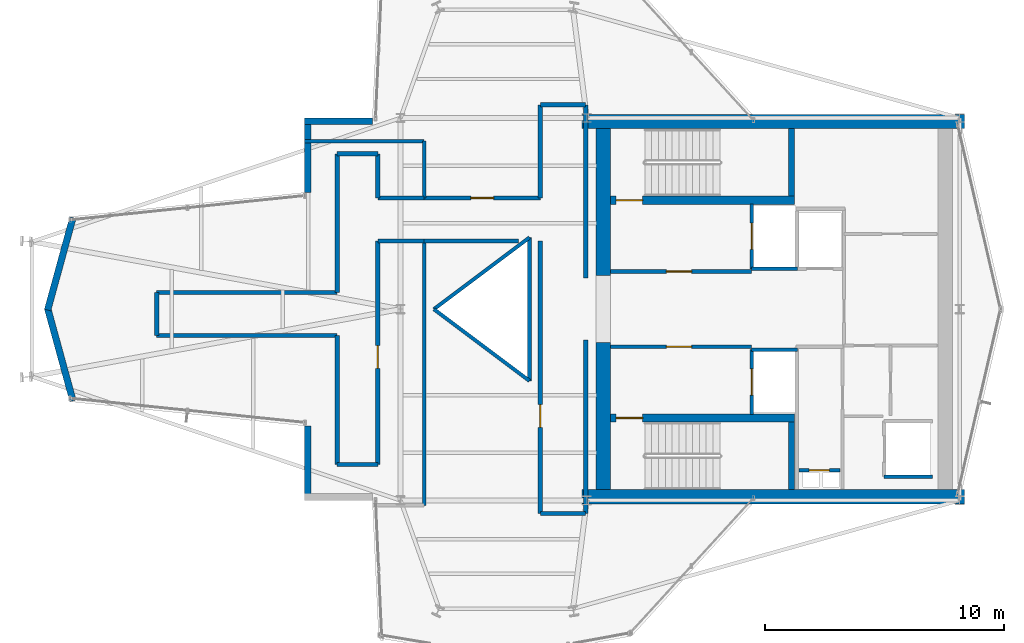
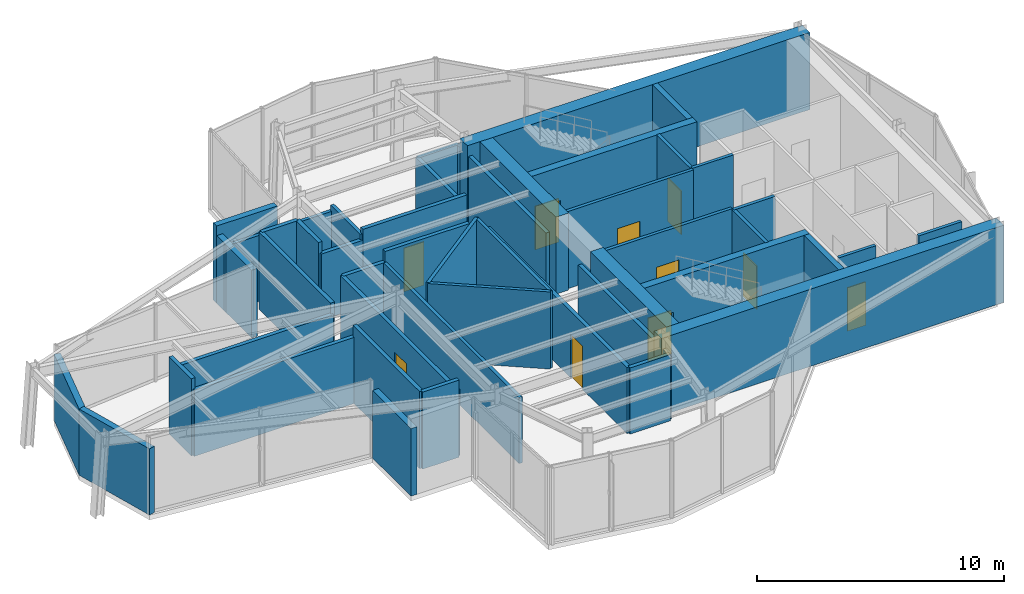
# One storey, part 11 of 13: 46 walls, 10 doors, 10 openings.
"""IFC4 building model written with IfcOpenShell, lengths in metres."""

from ifc_helpers import new_model, si_unit, direction, frame, frame_2d, origin, place, context, subcontext, project, spatial, rectangle, extrude, material, layer, layer_set, type_object, element, fill, save


model = new_model("IFC4")

# Units and contexts
model_context = context("Model", 3, precision=1e-05, world=origin(), true_north=direction((0.0, 1.0)))
body_context = subcontext(model_context, "Body", "Model", "MODEL_VIEW")
ifc_project = project(units=[si_unit("LENGTHUNIT", "METRE"), si_unit("AREAUNIT", "SQUARE_METRE"), si_unit("VOLUMEUNIT", "CUBIC_METRE"), si_unit("PLANEANGLEUNIT", "RADIAN"), si_unit("MASSUNIT", "GRAM", prefix="KILO")], contexts=[model_context])

# Site, building, storey
site_placement = place(None, origin())
site = spatial("IfcSite", under=ifc_project, at=site_placement, CompositionType="ELEMENT")
building_placement = place(site_placement, origin())
building = spatial("IfcBuilding", under=site, at=building_placement, Name="Veymaron Broadcast Tower", CompositionType="ELEMENT")
storey_placement = place(building_placement, frame((0.0, 0.0, 287.10009765625)))
storey = spatial("IfcBuildingStorey", under=building, at=storey_placement, Name="L67", CompositionType="ELEMENT", Elevation=287.10009765625)

# Walls
ifc_material_1 = material(Name="Precast concrete C40/50", Category="concrete")
ifc_layer_1 = layer(ifc_material_1, 0.280029296875)
ifc_layer_set_1 = layer_set([ifc_layer_1], Name="Precast concrete C40/50")
wall_type_1 = type_object("IfcWallType", Name="WALL-EXT-280", PredefinedType="STANDARD", material=ifc_layer_set_1)
wall_1_placement = place(storey_placement, frame((30.02197265625, 31.860107421875, 0.0), z_axis=(0.0, 0.0, 1.0), x_axis=(-1.0, 0.0, 0.0)))
element("IfcWall", 1, at=wall_1_placement, inside=storey, type_object=wall_type_1, Name="L67 notched corner facade pier 9-1", PredefinedType="STANDARD", context=body_context, shape_type="SweptSolid", body=[
    extrude(rectangle(XDim=2.83642578125, YDim=0.280029296875, at=frame_2d((1.418212890625, 0.0))), origin(), (0.0, 0.0, 1.0), 3.809814453125),
])
wall_2_placement = place(storey_placement, frame((27.32568359375, 32.0, 0.0), z_axis=(0.0, 0.0, 1.0), x_axis=(0.0, -1.0, 0.0)))
element("IfcWall", 2, at=wall_2_placement, inside=storey, type_object=wall_type_1, Name="L67 notched corner facade pier 10-1", PredefinedType="STANDARD", context=body_context, shape_type="SweptSolid", body=[
    extrude(rectangle(XDim=3.114013671875, YDim=0.280029296875, at=frame_2d((1.55712890625, 0.0))), origin(), (0.0, 0.0, 1.0), 3.3388671875),
])
for number, where, z_axis, x_axis, name in (
    (3, (17.4951171875, 27.83349609375, 0.0), (0.0, 0.0, 1.0), (-0.264373116581, -0.964420476364, 0.0), "L67 notched corner facade pier 12-1"),
    (4, (16.43408203125, 24.037109375, 0.0), (0.0, 0.0, 1.0), (0.264373116581, -0.964420476364, 0.0), "L67 notched corner facade pier 13-1"),
):
    element("IfcWall", number, at=place(storey_placement, frame(where, z_axis=z_axis, x_axis=x_axis)), inside=storey, type_object=wall_type_1, Name=name, PredefinedType="STANDARD", context=body_context, shape_type="SweptSolid", body=[
        extrude(rectangle(XDim=4.013427734375, YDim=0.280029296875, at=frame_2d((2.0068359375, 0.0))), origin(), (0.0, 0.0, 1.0), 3.27001953125),
    ])
wall_3_placement = place(storey_placement, frame((27.32568359375, 19.114013671875, 0.0), z_axis=(0.0, 0.0, 1.0), x_axis=(0.0, -1.0, 0.0)))
element("IfcWall", 5, at=wall_3_placement, inside=storey, type_object=wall_type_1, Name="L67 notched corner facade pier 15-1", PredefinedType="STANDARD", context=body_context, shape_type="SweptSolid", body=[
    extrude(rectangle(XDim=3.114013671875, YDim=0.280029296875, at=frame_2d((1.55712890625, 0.0))), origin(), (0.0, 0.0, 1.0), 3.3388671875),
])

# Wall, opening, door
ifc_material_2 = material(Name="Gypsum fireboard and steel stud framing", Category="steel")
ifc_layer_2 = layer(ifc_material_2, 0.14990234375)
ifc_layer_set_2 = layer_set([ifc_layer_2], Name="Gypsum fireboard and steel stud framing")
wall_type_2 = type_object("IfcWallType", Name="WALL-FIRE-150", PredefinedType="PARTITIONING", material=ifc_layer_set_2)
wall_4_placement = place(storey_placement, frame((39.97998046875, 25.574951171875, 0.0), z_axis=(0.0, 0.0, 1.0), x_axis=(1.0, 0.0, 0.0)))
wall_4 = element("IfcWall", 6, at=wall_4_placement, inside=storey, type_object=wall_type_2, Name="L67 partition IW-L67-FFLN-S", PredefinedType="PARTITIONING", context=body_context, shape_type="SweptSolid", body=[
    extrude(rectangle(XDim=5.89990234375, YDim=0.14990234375, at=frame_2d((2.949951171875, 0.0))), origin(), (0.0, 0.0, 1.0), 3.809814453125),
])
opening_1_placement = place(wall_4_placement, frame((2.35009765625, 0.0, 0.0)))
opening_1 = element("IfcOpeningElement", 7, at=opening_1_placement, cuts=wall_4, Name="Opening ID-FL1", PredefinedType="OPENING", context=body_context, shape_type="SweptSolid", body=[
    extrude(rectangle(XDim=1.050048828125, YDim=2.14990234375, at=frame_2d((0.52490234375, 1.074951171875))), frame((0.0, 0.0849609375, 0.0), z_axis=(0.0, -1.0, 0.0), x_axis=(1.0, 0.0, 0.0)), (0.0, 0.0, 1.0), 0.169921875),
])
ifc_material_3 = material(Name="Fire-rated painted hollow steel ASTM A653", Category="steel")
door_type_1 = type_object("IfcDoorType", Name="DOOR-FIRE-1050", OperationType="NOTDEFINED", PredefinedType="DOOR", material=ifc_material_3)
door_1_placement = place(opening_1_placement, origin())
door_1 = element("IfcDoor", 8, at=door_1_placement, inside=storey, type_object=door_type_1, Name="L67 door DR-L67-FFLN", OperationType="SINGLE_SWING_LEFT", OverallHeight=2.14990234375, OverallWidth=1.050048828125, PredefinedType="DOOR", context=body_context, shape_type="SweptSolid", body=[
    extrude(rectangle(XDim=1.050048828125, YDim=2.14990234375, at=frame_2d((0.52490234375, 1.074951171875))), frame((0.0, 0.02490234375, 0.0), z_axis=(0.0, -1.0, 0.0), x_axis=(1.0, 0.0, 0.0)), (0.0, 0.0, 1.0), 0.050048828125),
])
fill(opening_1, door_1)

wall_5_placement = place(storey_placement, frame((39.97998046875, 22.425048828125, 0.0), z_axis=(0.0, 0.0, 1.0), x_axis=(1.0, 0.0, 0.0)))
wall_5 = element("IfcWall", 9, at=wall_5_placement, inside=storey, type_object=wall_type_2, Name="L67 partition IW-L67-FFLS-N", PredefinedType="PARTITIONING", context=body_context, shape_type="SweptSolid", body=[
    extrude(rectangle(XDim=5.89990234375, YDim=0.14990234375, at=frame_2d((2.949951171875, 0.0))), origin(), (0.0, 0.0, 1.0), 3.809814453125),
])
opening_2_placement = place(wall_5_placement, frame((2.35009765625, 0.0, 0.0)))
opening_2 = element("IfcOpeningElement", 10, at=opening_2_placement, cuts=wall_5, Name="Opening ID-FL1", PredefinedType="OPENING", context=body_context, shape_type="SweptSolid", body=[
    extrude(rectangle(XDim=1.050048828125, YDim=2.14990234375, at=frame_2d((0.52490234375, 1.074951171875))), frame((0.0, 0.0849609375, 0.0), z_axis=(0.0, -1.0, 0.0), x_axis=(1.0, 0.0, 0.0)), (0.0, 0.0, 1.0), 0.169921875),
])
door_2_placement = place(opening_2_placement, frame((1.050048828125, 0.0, 0.0), z_axis=(0.0, 0.0, 1.0), x_axis=(-1.0, 0.0, 0.0)))
door_2 = element("IfcDoor", 11, at=door_2_placement, inside=storey, type_object=door_type_1, Name="L67 door DR-L67-FFLS", OperationType="SINGLE_SWING_RIGHT", OverallHeight=2.14990234375, OverallWidth=1.050048828125, PredefinedType="DOOR", context=body_context, shape_type="SweptSolid", body=[
    extrude(rectangle(XDim=1.050048828125, YDim=2.14990234375, at=frame_2d((0.52490234375, 1.074951171875))), frame((0.0, 0.02490234375, 0.0), z_axis=(0.0, -1.0, 0.0), x_axis=(1.0, 0.0, 0.0)), (0.0, 0.0, 1.0), 0.050048828125),
])
fill(opening_2, door_2)

wall_6_placement = place(storey_placement, frame((45.89501953125, 25.68994140625, 0.0), z_axis=(0.0, 0.0, 1.0), x_axis=(0.0, 1.0, 0.0)))
wall_6 = element("IfcWall", 12, at=wall_6_placement, inside=storey, type_object=wall_type_2, Name="L67 partition IW-L67-SHW-FFL-1", PredefinedType="PARTITIONING", context=body_context, shape_type="SweptSolid", body=[
    extrude(rectangle(XDim=2.719970703125, YDim=0.14990234375, at=frame_2d((1.35986328125, 0.0))), origin(), (0.0, 0.0, 1.0), 3.809814453125),
])
opening_3_placement = place(wall_6_placement, frame((0.81005859375, 0.0, 0.0)))
opening_3 = element("IfcOpeningElement", 13, at=opening_3_placement, cuts=wall_6, Name="Opening LD", PredefinedType="OPENING", context=body_context, shape_type="SweptSolid", body=[
    extrude(rectangle(XDim=1.10009765625, YDim=2.14990234375, at=frame_2d((0.550048828125, 1.074951171875))), frame((0.0, 0.0849609375, 0.0), z_axis=(0.0, -1.0, 0.0), x_axis=(1.0, 0.0, 0.0)), (0.0, 0.0, 1.0), 0.169921875),
])
ifc_material_4 = material(Name="Brushed stainless steel AISI 304", Category="steel")
door_type_2 = type_object("IfcDoorType", Name="DOOR-LIFT-1100", OperationType="DOUBLE_DOOR_SLIDING", PredefinedType="DOOR", material=ifc_material_4)
door_3_placement = place(opening_3_placement, frame((1.10009765625, 0.0, 0.0), z_axis=(0.0, 0.0, 1.0), x_axis=(-1.0, 0.0, 0.0)))
door_3 = element("IfcDoor", 14, at=door_3_placement, inside=storey, type_object=door_type_2, Name="L67 door LD-L67-FFL-1", OperationType="DOUBLE_DOOR_SLIDING", OverallHeight=2.14990234375, OverallWidth=1.10009765625, PredefinedType="DOOR", context=body_context, shape_type="SweptSolid", body=[
    extrude(rectangle(XDim=1.10009765625, YDim=2.14990234375, at=frame_2d((0.550048828125, 1.074951171875))), frame((0.0, 0.02490234375, 0.0), z_axis=(0.0, -1.0, 0.0), x_axis=(1.0, 0.0, 0.0)), (0.0, 0.0, 1.0), 0.050048828125),
])
fill(opening_3, door_3)

# Wall
wall_7_placement = place(storey_placement, frame((45.89501953125, 25.68994140625, 0.0), z_axis=(0.0, 0.0, 1.0), x_axis=(1.0, 0.0, 0.0)))
element("IfcWall", 15, at=wall_7_placement, inside=storey, type_object=wall_type_2, Name="L67 partition IW-L67-SHS-FFL-1", PredefinedType="PARTITIONING", context=body_context, shape_type="SweptSolid", body=[
    extrude(rectangle(XDim=1.9150390625, YDim=0.14990234375, at=frame_2d((0.95751953125, 0.0))), origin(), (0.0, 0.0, 1.0), 3.809814453125),
])

# Wall, opening, door
wall_8_placement = place(storey_placement, frame((45.89501953125, 19.590087890625, 0.0), z_axis=(0.0, 0.0, 1.0), x_axis=(0.0, 1.0, 0.0)))
wall_8 = element("IfcWall", 16, at=wall_8_placement, inside=storey, type_object=wall_type_2, Name="L67 partition IW-L67-SHW-FFL-2", PredefinedType="PARTITIONING", context=body_context, shape_type="SweptSolid", body=[
    extrude(rectangle(XDim=2.719970703125, YDim=0.14990234375, at=frame_2d((1.35986328125, 0.0))), origin(), (0.0, 0.0, 1.0), 3.809814453125),
])
opening_4_placement = place(wall_8_placement, frame((0.81005859375, 0.0, 0.0)))
opening_4 = element("IfcOpeningElement", 17, at=opening_4_placement, cuts=wall_8, Name="Opening LD", PredefinedType="OPENING", context=body_context, shape_type="SweptSolid", body=[
    extrude(rectangle(XDim=1.10009765625, YDim=2.14990234375, at=frame_2d((0.550048828125, 1.074951171875))), frame((0.0, 0.0849609375, 0.0), z_axis=(0.0, -1.0, 0.0), x_axis=(1.0, 0.0, 0.0)), (0.0, 0.0, 1.0), 0.169921875),
])
door_4_placement = place(opening_4_placement, frame((1.10009765625, 0.0, 0.0), z_axis=(0.0, 0.0, 1.0), x_axis=(-1.0, 0.0, 0.0)))
door_4 = element("IfcDoor", 18, at=door_4_placement, inside=storey, type_object=door_type_2, Name="L67 door LD-L67-FFL-2", OperationType="DOUBLE_DOOR_SLIDING", OverallHeight=2.14990234375, OverallWidth=1.10009765625, PredefinedType="DOOR", context=body_context, shape_type="SweptSolid", body=[
    extrude(rectangle(XDim=1.10009765625, YDim=2.14990234375, at=frame_2d((0.550048828125, 1.074951171875))), frame((0.0, 0.02490234375, 0.0), z_axis=(0.0, -1.0, 0.0), x_axis=(1.0, 0.0, 0.0)), (0.0, 0.0, 1.0), 0.050048828125),
])
fill(opening_4, door_4)

# Walls
wall_9_placement = place(storey_placement, frame((45.89501953125, 22.31005859375, 0.0), z_axis=(0.0, 0.0, 1.0), x_axis=(1.0, 0.0, 0.0)))
element("IfcWall", 19, at=wall_9_placement, inside=storey, type_object=wall_type_2, Name="L67 partition IW-L67-SHN-FFL-2", PredefinedType="PARTITIONING", context=body_context, shape_type="SweptSolid", body=[
    extrude(rectangle(XDim=1.9150390625, YDim=0.14990234375, at=frame_2d((0.95751953125, 0.0))), origin(), (0.0, 0.0, 1.0), 3.809814453125),
])
wall_10_placement = place(storey_placement, frame((51.445068359375, 16.989990234375, 0.0), z_axis=(0.0, 0.0, 1.0), x_axis=(1.0, 0.0, 0.0)))
element("IfcWall", 20, at=wall_10_placement, inside=storey, type_object=wall_type_2, Name="L67 partition IW-L67-SHS-PH1", PredefinedType="PARTITIONING", context=body_context, shape_type="SweptSolid", body=[
    extrude(rectangle(XDim=2.014892578125, YDim=0.14990234375, at=frame_2d((1.00732421875, 0.0))), origin(), (0.0, 0.0, 1.0), 3.809814453125),
])

# Wall, opening, door
wall_11_placement = place(storey_placement, frame((47.8798828125, 17.260009765625, 0.0), z_axis=(0.0, 0.0, 1.0), x_axis=(1.0, 0.0, 0.0)))
wall_11 = element("IfcWall", 21, at=wall_11_placement, inside=storey, type_object=wall_type_2, Name="L67 partition IW-L67-RIS-N", PredefinedType="PARTITIONING", context=body_context, shape_type="SweptSolid", body=[
    extrude(rectangle(XDim=1.72021484375, YDim=0.14990234375, at=frame_2d((0.860107421875, 0.0))), origin(), (0.0, 0.0, 1.0), 3.809814453125),
])
opening_5_placement = place(wall_11_placement, frame((0.419921875, 0.0, 0.0)))
opening_5 = element("IfcOpeningElement", 22, at=opening_5_placement, cuts=wall_11, Name="Opening ID-RS1", PredefinedType="OPENING", context=body_context, shape_type="SweptSolid", body=[
    extrude(rectangle(XDim=0.85009765625, YDim=2.14990234375, at=frame_2d((0.425048828125, 1.074951171875))), frame((0.0, 0.0849609375, 0.0), z_axis=(0.0, -1.0, 0.0), x_axis=(1.0, 0.0, 0.0)), (0.0, 0.0, 1.0), 0.169921875),
])
ifc_material_5 = material(Name="Fire-rated powder-coated steel riser leaf", Category="steel")
door_type_3 = type_object("IfcDoorType", Name="DOOR-RIS-850", OperationType="NOTDEFINED", PredefinedType="TRAPDOOR", material=ifc_material_5)
door_5_placement = place(opening_5_placement, origin())
door_5 = element("IfcDoor", 23, at=door_5_placement, inside=storey, type_object=door_type_3, Name="L67 door DR-L67-RIS", OperationType="SINGLE_SWING_LEFT", OverallHeight=2.14990234375, OverallWidth=0.85009765625, PredefinedType="TRAPDOOR", context=body_context, shape_type="SweptSolid", body=[
    extrude(rectangle(XDim=0.85009765625, YDim=2.14990234375, at=frame_2d((0.425048828125, 1.074951171875))), frame((0.0, 0.02490234375, 0.0), z_axis=(0.0, -1.0, 0.0), x_axis=(1.0, 0.0, 0.0)), (0.0, 0.0, 1.0), 0.050048828125),
])
fill(opening_5, door_5)

ifc_material_6 = material(Name="Concrete C40/50", Category="concrete")
ifc_layer_3 = layer(ifc_material_6, 0.179931640625)
ifc_layer_set_3 = layer_set([ifc_layer_3], Name="Concrete C40/50")
wall_type_3 = type_object("IfcWallType", Name="WALL-FIRE-180", PredefinedType="SOLIDWALL", material=ifc_layer_set_3)
wall_12_placement = place(storey_placement, frame((37.050048828125, 15.44677734375, 0.0), z_axis=(0.0, 0.0, 1.0), x_axis=(0.0, 1.0, 0.0)))
wall_12 = element("IfcWall", 24, at=wall_12_placement, inside=storey, type_object=wall_type_3, Name="L67 partition IW-L67-P01", PredefinedType="SOLIDWALL", context=body_context, shape_type="SweptSolid", body=[
    extrude(rectangle(XDim=11.4033203125, YDim=0.179931640625, at=frame_2d((5.70166015625, 0.0))), origin(), (0.0, 0.0, 1.0), 3.27001953125),
])
opening_6_placement = place(wall_12_placement, frame((3.606689453125, 0.0, 0.0)))
opening_6 = element("IfcOpeningElement", 25, at=opening_6_placement, cuts=wall_12, Name="Opening ID-RM1", PredefinedType="OPENING", context=body_context, shape_type="SweptSolid", body=[
    extrude(rectangle(XDim=0.949951171875, YDim=2.14990234375, at=frame_2d((0.47509765625, 1.074951171875))), frame((0.0, 0.10009765625, 0.0), z_axis=(0.0, -1.0, 0.0), x_axis=(1.0, 0.0, 0.0)), (0.0, 0.0, 1.0), 0.199951171875),
])
ifc_material_7 = material(Name="Acoustic solid-core European oak veneer timber", Category="wood")
door_type_4 = type_object("IfcDoorType", Name="DOOR-INT-950", OperationType="NOTDEFINED", PredefinedType="DOOR", material=ifc_material_7)
door_6_placement = place(opening_6_placement, frame((0.949951171875, 0.0, 0.0), z_axis=(0.0, 0.0, 1.0), x_axis=(-1.0, 0.0, 0.0)))
door_6 = element("IfcDoor", 26, at=door_6_placement, inside=storey, type_object=door_type_4, Name="L67 door DR-L67-P01", OperationType="SINGLE_SWING_RIGHT", OverallHeight=2.14990234375, OverallWidth=0.949951171875, PredefinedType="DOOR", context=body_context, shape_type="SweptSolid", body=[
    extrude(rectangle(XDim=0.949951171875, YDim=2.14990234375, at=frame_2d((0.47509765625, 1.074951171875))), frame((0.0, 0.02490234375, 0.0), z_axis=(0.0, -1.0, 0.0), x_axis=(1.0, 0.0, 0.0)), (0.0, 0.0, 1.0), 0.050048828125),
])
fill(opening_6, door_6)

wall_13_placement = place(storey_placement, frame((30.25, 17.5, 0.0), z_axis=(0.0, 0.0, 1.0), x_axis=(0.0, 1.0, 0.0)))
wall_13 = element("IfcWall", 27, at=wall_13_placement, inside=storey, type_object=wall_type_3, Name="L67 partition IW-L67-P05", PredefinedType="SOLIDWALL", context=body_context, shape_type="SweptSolid", body=[
    extrude(rectangle(XDim=9.35009765625, YDim=0.179931640625, at=frame_2d((4.675048828125, 0.0))), origin(), (0.0, 0.0, 1.0), 3.27001953125),
])
opening_7_placement = place(wall_13_placement, frame((4.02001953125, 0.0, 0.0)))
opening_7 = element("IfcOpeningElement", 28, at=opening_7_placement, cuts=wall_13, Name="Opening ID-RM1", PredefinedType="OPENING", context=body_context, shape_type="SweptSolid", body=[
    extrude(rectangle(XDim=0.949951171875, YDim=2.14990234375, at=frame_2d((0.47509765625, 1.074951171875))), frame((0.0, 0.10009765625, 0.0), z_axis=(0.0, -1.0, 0.0), x_axis=(1.0, 0.0, 0.0)), (0.0, 0.0, 1.0), 0.199951171875),
])
door_7_placement = place(opening_7_placement, frame((0.949951171875, 0.0, 0.0), z_axis=(0.0, 0.0, 1.0), x_axis=(-1.0, 0.0, 0.0)))
door_7 = element("IfcDoor", 29, at=door_7_placement, inside=storey, type_object=door_type_4, Name="L67 door DR-L67-P05", OperationType="SINGLE_SWING_RIGHT", OverallHeight=2.14990234375, OverallWidth=0.949951171875, PredefinedType="DOOR", context=body_context, shape_type="SweptSolid", body=[
    extrude(rectangle(XDim=0.949951171875, YDim=2.14990234375, at=frame_2d((0.47509765625, 1.074951171875))), frame((0.0, 0.02490234375, 0.0), z_axis=(0.0, -1.0, 0.0), x_axis=(1.0, 0.0, 0.0)), (0.0, 0.0, 1.0), 0.050048828125),
])
fill(opening_7, door_7)

wall_14_placement = place(storey_placement, frame((32.194091796875, 28.64990234375, 0.0), z_axis=(0.0, 0.0, 1.0), x_axis=(1.0, 0.0, 0.0)))
wall_14 = element("IfcWall", 30, at=wall_14_placement, inside=storey, type_object=wall_type_3, Name="L67 partition IW-L67-P17", PredefinedType="SOLIDWALL", context=body_context, shape_type="SweptSolid", body=[
    extrude(rectangle(XDim=4.85595703125, YDim=0.179931640625, at=frame_2d((2.427978515625, 0.0))), origin(), (0.0, 0.0, 1.0), 3.809814453125),
])
opening_8_placement = place(wall_14_placement, frame((1.952880859375, 0.0, 0.0)))
opening_8 = element("IfcOpeningElement", 31, at=opening_8_placement, cuts=wall_14, Name="Opening ID-RM1", PredefinedType="OPENING", context=body_context, shape_type="SweptSolid", body=[
    extrude(rectangle(XDim=0.949951171875, YDim=2.14990234375, at=frame_2d((0.47509765625, 1.074951171875))), frame((0.0, 0.10009765625, 0.0), z_axis=(0.0, -1.0, 0.0), x_axis=(1.0, 0.0, 0.0)), (0.0, 0.0, 1.0), 0.199951171875),
])
door_8_placement = place(opening_8_placement, origin())
door_8 = element("IfcDoor", 32, at=door_8_placement, inside=storey, type_object=door_type_4, Name="L67 door DR-L67-P17", OperationType="SINGLE_SWING_RIGHT", OverallHeight=2.14990234375, OverallWidth=0.949951171875, PredefinedType="DOOR", context=body_context, shape_type="SweptSolid", body=[
    extrude(rectangle(XDim=0.949951171875, YDim=2.14990234375, at=frame_2d((0.47509765625, 1.074951171875))), frame((0.0, 0.02490234375, 0.0), z_axis=(0.0, -1.0, 0.0), x_axis=(1.0, 0.0, 0.0)), (0.0, 0.0, 1.0), 0.050048828125),
])
fill(opening_8, door_8)

# Walls
wall_15_placement = place(storey_placement, frame((38.949951171875, 15.44677734375, 0.0), z_axis=(0.0, 0.0, 1.0), x_axis=(0.0, 1.0, 0.0)))
element("IfcWall", 33, at=wall_15_placement, inside=storey, type_object=wall_type_3, Name="L67 partition IW-L67-P02", PredefinedType="SOLIDWALL", context=body_context, shape_type="SweptSolid", body=[
    extrude(rectangle(XDim=7.253173828125, YDim=0.179931640625, at=frame_2d((3.62646484375, 0.0))), origin(), (0.0, 0.0, 1.0), 3.27001953125),
])
wall_16_placement = place(storey_placement, frame((32.194091796875, 26.85009765625, 0.0), z_axis=(0.0, 0.0, 1.0), x_axis=(1.0, 0.0, 0.0)))
element("IfcWall", 34, at=wall_16_placement, inside=storey, type_object=wall_type_3, Name="L67 partition IW-L67-P03", PredefinedType="SOLIDWALL", context=body_context, shape_type="SweptSolid", body=[
    extrude(rectangle(XDim=3.955810546875, YDim=0.179931640625, at=frame_2d((1.97802734375, 0.0))), origin(), (0.0, 0.0, 1.0), 3.809814453125),
])
wall_17_placement = place(storey_placement, frame((37.050048828125, 15.44677734375, 0.0), z_axis=(0.0, 0.0, 1.0), x_axis=(1.0, 0.0, 0.0)))
element("IfcWall", 35, at=wall_17_placement, inside=storey, type_object=wall_type_3, Name="L67 partition IW-L67-P04", PredefinedType="SOLIDWALL", context=body_context, shape_type="SweptSolid", body=[
    extrude(rectangle(XDim=1.89990234375, YDim=0.179931640625, at=frame_2d((0.949951171875, 0.0))), origin(), (0.0, 0.0, 1.0), 3.27001953125),
])
for number, where, z_axis, x_axis, name in (
    (36, (21.0, 22.89990234375, 0.0), (0.0, 0.0, 1.0), (1.0, 0.0, 0.0), "L67 partition IW-L67-P06"),
    (37, (21.0, 24.699951171875, 0.0), (0.0, 0.0, 1.0), (1.0, 0.0, 0.0), "L67 partition IW-L67-P07"),
):
    element("IfcWall", number, at=place(storey_placement, frame(where, z_axis=z_axis, x_axis=x_axis)), inside=storey, type_object=wall_type_3, Name=name, PredefinedType="SOLIDWALL", context=body_context, shape_type="SweptSolid", body=[
        extrude(rectangle(XDim=7.550048828125, YDim=0.179931640625, at=frame_2d((3.77490234375, 0.0))), origin(), (0.0, 0.0, 1.0), 3.27001953125),
    ])
wall_18_placement = place(storey_placement, frame((28.550048828125, 24.699951171875, 0.0), z_axis=(0.0, 0.0, 1.0), x_axis=(0.0, 1.0, 0.0)))
element("IfcWall", 38, at=wall_18_placement, inside=storey, type_object=wall_type_3, Name="L67 partition IW-L67-P08", PredefinedType="SOLIDWALL", context=body_context, shape_type="SweptSolid", body=[
    extrude(rectangle(XDim=5.800048828125, YDim=0.179931640625, at=frame_2d((2.89990234375, 0.0))), origin(), (0.0, 0.0, 1.0), 3.809814453125),
])
wall_19_placement = place(storey_placement, frame((28.550048828125, 17.5, 0.0), z_axis=(0.0, 0.0, 1.0), x_axis=(0.0, 1.0, 0.0)))
element("IfcWall", 39, at=wall_19_placement, inside=storey, type_object=wall_type_3, Name="L67 partition IW-L67-P09", PredefinedType="SOLIDWALL", context=body_context, shape_type="SweptSolid", body=[
    extrude(rectangle(XDim=5.39990234375, YDim=0.179931640625, at=frame_2d((2.699951171875, 0.0))), origin(), (0.0, 0.0, 1.0), 3.809814453125),
])
for number, where, z_axis, x_axis, name in (
    (40, (30.25, 26.85009765625, 0.0), (0.0, 0.0, 1.0), (1.0, 0.0, 0.0), "L67 partition IW-L67-P10"),
    (41, (30.25, 28.64990234375, 0.0), (0.0, 0.0, 1.0), (1.0, 0.0, 0.0), "L67 partition IW-L67-P11"),
):
    element("IfcWall", number, at=place(storey_placement, frame(where, z_axis=z_axis, x_axis=x_axis)), inside=storey, type_object=wall_type_3, Name=name, PredefinedType="SOLIDWALL", context=body_context, shape_type="SweptSolid", body=[
        extrude(rectangle(XDim=1.944091796875, YDim=0.179931640625, at=frame_2d((0.97216796875, 0.0))), origin(), (0.0, 0.0, 1.0), 3.27001953125),
    ])
wall_20_placement = place(storey_placement, frame((30.25, 28.64990234375, 0.0), z_axis=(0.0, 0.0, 1.0), x_axis=(0.0, 1.0, 0.0)))
element("IfcWall", 42, at=wall_20_placement, inside=storey, type_object=wall_type_3, Name="L67 partition IW-L67-P12", PredefinedType="SOLIDWALL", context=body_context, shape_type="SweptSolid", body=[
    extrude(rectangle(XDim=1.85009765625, YDim=0.179931640625, at=frame_2d((0.925048828125, 0.0))), origin(), (0.0, 0.0, 1.0), 3.809814453125),
])
wall_21_placement = place(storey_placement, frame((21.0, 22.89990234375, 0.0), z_axis=(0.0, 0.0, 1.0), x_axis=(0.0, 1.0, 0.0)))
element("IfcWall", 43, at=wall_21_placement, inside=storey, type_object=wall_type_3, Name="L67 partition IW-L67-P13", PredefinedType="SOLIDWALL", context=body_context, shape_type="SweptSolid", body=[
    extrude(rectangle(XDim=1.800048828125, YDim=0.179931640625, at=frame_2d((0.89990234375, 0.0))), origin(), (0.0, 0.0, 1.0), 3.809814453125),
])
for number, where, z_axis, x_axis, name in (
    (44, (28.550048828125, 17.5, 0.0), (0.0, 0.0, 1.0), (1.0, 0.0, 0.0), "L67 partition IW-L67-P14"),
    (45, (28.550048828125, 30.5, 0.0), (0.0, 0.0, 1.0), (1.0, 0.0, 0.0), "L67 partition IW-L67-P15"),
):
    element("IfcWall", number, at=place(storey_placement, frame(where, z_axis=z_axis, x_axis=x_axis)), inside=storey, type_object=wall_type_3, Name=name, PredefinedType="SOLIDWALL", context=body_context, shape_type="SweptSolid", body=[
        extrude(rectangle(XDim=1.699951171875, YDim=0.179931640625, at=frame_2d((0.85009765625, 0.0))), origin(), (0.0, 0.0, 1.0), 3.809814453125),
    ])
wall_22_placement = place(storey_placement, frame((38.949951171875, 25.300048828125, 0.0), z_axis=(0.0, 0.0, 1.0), x_axis=(0.0, 1.0, 0.0)))
element("IfcWall", 46, at=wall_22_placement, inside=storey, type_object=wall_type_3, Name="L67 partition IW-L67-P16", PredefinedType="SOLIDWALL", context=body_context, shape_type="SweptSolid", body=[
    extrude(rectangle(XDim=7.253173828125, YDim=0.179931640625, at=frame_2d((3.62646484375, 0.0))), origin(), (0.0, 0.0, 1.0), 3.27001953125),
])
wall_23_placement = place(storey_placement, frame((37.050048828125, 28.64990234375, 0.0), z_axis=(0.0, 0.0, 1.0), x_axis=(0.0, 1.0, 0.0)))
element("IfcWall", 47, at=wall_23_placement, inside=storey, type_object=wall_type_3, Name="L67 partition IW-L67-P18", PredefinedType="SOLIDWALL", context=body_context, shape_type="SweptSolid", body=[
    extrude(rectangle(XDim=3.9033203125, YDim=0.179931640625, at=frame_2d((1.95166015625, 0.0))), origin(), (0.0, 0.0, 1.0), 3.27001953125),
])
wall_24_placement = place(storey_placement, frame((37.050048828125, 32.55322265625, 0.0), z_axis=(0.0, 0.0, 1.0), x_axis=(1.0, 0.0, 0.0)))
element("IfcWall", 48, at=wall_24_placement, inside=storey, type_object=wall_type_3, Name="L67 partition IW-L67-P19", PredefinedType="SOLIDWALL", context=body_context, shape_type="SweptSolid", body=[
    extrude(rectangle(XDim=1.89990234375, YDim=0.179931640625, at=frame_2d((0.949951171875, 0.0))), origin(), (0.0, 0.0, 1.0), 3.27001953125),
])
ifc_material_8 = material(Name="Fire-rated laminated glass in aluminium frame", Category="aluminium")
ifc_layer_4 = layer(ifc_material_8, 0.14990234375)
ifc_layer_set_4 = layer_set([ifc_layer_4], Name="Fire-rated laminated glass in aluminium frame")
wall_type_4 = type_object("IfcWallType", Name="WALL-GLZ-150", PredefinedType="MOVABLE", material=ifc_layer_set_4)
wall_25_placement = place(storey_placement, frame((32.194091796875, 15.7939453125, 0.0), z_axis=(0.0, 0.0, 1.0), x_axis=(0.0, 1.0, 0.0)))
element("IfcWall", 49, at=wall_25_placement, inside=storey, type_object=wall_type_4, Name="L67 partition IW-L67-P20", PredefinedType="MOVABLE", context=body_context, shape_type="SweptSolid", body=[
    extrude(rectangle(XDim=11.05615234375, YDim=0.14990234375, at=frame_2d((5.528076171875, 0.0))), origin(), (0.0, 0.0, 1.0), 3.27001953125),
])
wall_26_placement = place(storey_placement, frame((27.185546875, 31.033935546875, 0.0), z_axis=(0.0, 0.0, 1.0), x_axis=(1.0, 0.0, 0.0)))
element("IfcWall", 50, at=wall_26_placement, inside=storey, type_object=wall_type_4, Name="L67 partition IW-L67-P22", PredefinedType="MOVABLE", context=body_context, shape_type="SweptSolid", body=[
    extrude(rectangle(XDim=5.008544921875, YDim=0.14990234375, at=frame_2d((2.50439453125, 0.0))), origin(), (0.0, 0.0, 1.0), 3.27001953125),
])
wall_27_placement = place(storey_placement, frame((32.194091796875, 28.64990234375, 0.0), z_axis=(0.0, 0.0, 1.0), x_axis=(0.0, 1.0, 0.0)))
element("IfcWall", 51, at=wall_27_placement, inside=storey, type_object=wall_type_4, Name="L67 partition IW-L67-P23", PredefinedType="MOVABLE", context=body_context, shape_type="SweptSolid", body=[
    extrude(rectangle(XDim=2.384033203125, YDim=0.14990234375, at=frame_2d((1.19189453125, 0.0))), origin(), (0.0, 0.0, 1.0), 3.539794921875),
])
wall_28_placement = place(storey_placement, frame((32.60009765625, 24.0, 0.0), z_axis=(0.0, 0.0, 1.0), x_axis=(0.8, -0.6, 0.0)))
element("IfcWall", 52, at=wall_28_placement, inside=storey, type_object=wall_type_4, Name="L67 partition IW-L67-ATR1", PredefinedType="MOVABLE", context=body_context, shape_type="SweptSolid", body=[
    extrude(rectangle(XDim=5.0, YDim=0.14990234375, at=frame_2d((2.5, 0.0))), origin(), (0.0, 0.0, 1.0), 3.809814453125),
])
wall_29_placement = place(storey_placement, frame((36.60009765625, 21.0, 0.0), z_axis=(0.0, 0.0, 1.0), x_axis=(0.0, 1.0, 0.0)))
element("IfcWall", 53, at=wall_29_placement, inside=storey, type_object=wall_type_4, Name="L67 partition IW-L67-ATR2", PredefinedType="MOVABLE", context=body_context, shape_type="SweptSolid", body=[
    extrude(rectangle(XDim=6.0, YDim=0.14990234375, at=frame_2d((3.0, 0.0))), origin(), (0.0, 0.0, 1.0), 3.809814453125),
])
wall_30_placement = place(storey_placement, frame((36.60009765625, 27.0, 0.0), z_axis=(0.0, 0.0, 1.0), x_axis=(-0.8, -0.6, 0.0)))
element("IfcWall", 54, at=wall_30_placement, inside=storey, type_object=wall_type_4, Name="L67 partition IW-L67-ATR3", PredefinedType="MOVABLE", context=body_context, shape_type="SweptSolid", body=[
    extrude(rectangle(XDim=5.0, YDim=0.14990234375, at=frame_2d((2.5, 0.0))), origin(), (0.0, 0.0, 1.0), 3.809814453125),
])
ifc_material_9 = material(Name="Concrete C50/60", Category="concrete")
ifc_layer_5 = layer(ifc_material_9, 0.25)
ifc_layer_set_5 = layer_set([ifc_layer_5], Name="Concrete C50/60")
wall_type_5 = type_object("IfcWallType", Name="WALL-SHEAR-250", PredefinedType="SHEAR", material=ifc_layer_set_5)
for number, where, z_axis, x_axis, name in (
    (55, (47.56494140625, 28.72998046875, 0.0), (0.0, 0.0, 1.0), (0.0, 1.0, 0.0), "L67 Core Wall north stair east shear"),
    (56, (47.56494140625, 16.449951171875, 0.0), (0.0, 0.0, 1.0), (0.0, 1.0, 0.0), "L67 Core Wall south stair east shear"),
):
    element("IfcWall", number, at=place(storey_placement, frame(where, z_axis=z_axis, x_axis=x_axis)), inside=storey, type_object=wall_type_5, Name=name, PredefinedType="SHEAR", context=body_context, shape_type="SweptSolid", body=[
        extrude(rectangle(XDim=2.820068359375, YDim=0.25, at=frame_2d((1.41015625, 0.0))), origin(), (0.0, 0.0, 1.0), 3.809814453125),
    ])

# Wall, opening, door
ifc_layer_6 = layer(ifc_material_9, 0.35009765625)
ifc_layer_set_6 = layer_set([ifc_layer_6], Name="Concrete C50/60")
wall_type_6 = type_object("IfcWallType", Name="WALL-SHEAR-350", PredefinedType="SHEAR", material=ifc_layer_set_6)
wall_31_placement = place(storey_placement, frame((39.97998046875, 28.554931640625, 0.0), z_axis=(0.0, 0.0, 1.0), x_axis=(1.0, 0.0, 0.0)))
wall_31 = element("IfcWall", 57, at=wall_31_placement, inside=storey, type_object=wall_type_6, Name="L67 Core Wall north stair spine", PredefinedType="SHEAR", context=body_context, shape_type="SweptSolid", body=[
    extrude(rectangle(XDim=7.7099609375, YDim=0.35009765625, at=frame_2d((3.85498046875, 0.0))), origin(), (0.0, 0.0, 1.0), 3.809814453125),
])
opening_9_placement = place(wall_31_placement, frame((0.25, 0.0, 0.0)))
opening_9 = element("IfcOpeningElement", 58, at=opening_9_placement, cuts=wall_31, Name="Opening ID-ST1", PredefinedType="OPENING", context=body_context, shape_type="SweptSolid", body=[
    extrude(rectangle(XDim=1.10009765625, YDim=2.14990234375, at=frame_2d((0.550048828125, 1.074951171875))), frame((0.0, 0.18505859375, 0.0), z_axis=(0.0, -1.0, 0.0), x_axis=(1.0, 0.0, 0.0)), (0.0, 0.0, 1.0), 0.3701171875),
])
door_type_5 = type_object("IfcDoorType", Name="DOOR-STAIR-1100", OperationType="NOTDEFINED", PredefinedType="DOOR", material=ifc_material_3)
door_9_placement = place(opening_9_placement, origin())
door_9 = element("IfcDoor", 59, at=door_9_placement, inside=storey, type_object=door_type_5, Name="L67 exit stair ST1 fire door", OperationType="SINGLE_SWING_RIGHT", OverallHeight=2.14990234375, OverallWidth=1.10009765625, PredefinedType="DOOR", context=body_context, shape_type="SweptSolid", body=[
    extrude(rectangle(XDim=1.10009765625, YDim=2.14990234375, at=frame_2d((0.550048828125, 1.074951171875))), frame((0.0, 0.02490234375, 0.0), z_axis=(0.0, -1.0, 0.0), x_axis=(1.0, 0.0, 0.0)), (0.0, 0.0, 1.0), 0.050048828125),
])
fill(opening_9, door_9)

wall_32_placement = place(storey_placement, frame((39.97998046875, 19.445068359375, 0.0), z_axis=(0.0, 0.0, 1.0), x_axis=(1.0, 0.0, 0.0)))
wall_32 = element("IfcWall", 60, at=wall_32_placement, inside=storey, type_object=wall_type_6, Name="L67 Core Wall south stair spine", PredefinedType="SHEAR", context=body_context, shape_type="SweptSolid", body=[
    extrude(rectangle(XDim=7.7099609375, YDim=0.35009765625, at=frame_2d((3.85498046875, 0.0))), origin(), (0.0, 0.0, 1.0), 3.809814453125),
])
opening_10_placement = place(wall_32_placement, frame((0.25, 0.0, 0.0)))
opening_10 = element("IfcOpeningElement", 61, at=opening_10_placement, cuts=wall_32, Name="Opening ID-ST1", PredefinedType="OPENING", context=body_context, shape_type="SweptSolid", body=[
    extrude(rectangle(XDim=1.10009765625, YDim=2.14990234375, at=frame_2d((0.550048828125, 1.074951171875))), frame((0.0, 0.18505859375, 0.0), z_axis=(0.0, -1.0, 0.0), x_axis=(1.0, 0.0, 0.0)), (0.0, 0.0, 1.0), 0.3701171875),
])
door_10_placement = place(opening_10_placement, frame((1.10009765625, 0.0, 0.0), z_axis=(0.0, 0.0, 1.0), x_axis=(-1.0, 0.0, 0.0)))
door_10 = element("IfcDoor", 62, at=door_10_placement, inside=storey, type_object=door_type_5, Name="L67 exit stair ST2 fire door", OperationType="SINGLE_SWING_LEFT", OverallHeight=2.14990234375, OverallWidth=1.10009765625, PredefinedType="DOOR", context=body_context, shape_type="SweptSolid", body=[
    extrude(rectangle(XDim=1.10009765625, YDim=2.14990234375, at=frame_2d((0.550048828125, 1.074951171875))), frame((0.0, 0.02490234375, 0.0), z_axis=(0.0, -1.0, 0.0), x_axis=(1.0, 0.0, 0.0)), (0.0, 0.0, 1.0), 0.050048828125),
])
fill(opening_10, door_10)

# Walls
ifc_layer_7 = layer(ifc_material_9, 0.60009765625)
ifc_layer_set_7 = layer_set([ifc_layer_7], Name="Concrete C50/60")
wall_type_7 = type_object("IfcWallType", Name="WALL-SHEAR-600", PredefinedType="SHEAR", material=ifc_layer_set_7)
for number, where, z_axis, x_axis, name in (
    (63, (38.800048828125, 31.85009765625, 0.0), (0.0, 0.0, 1.0), (1.0, 0.0, 0.0), "L67 Core Wall north shear"),
    (64, (38.800048828125, 16.14990234375, 0.0), (0.0, 0.0, 1.0), (1.0, 0.0, 0.0), "L67 Core Wall south shear"),
):
    element("IfcWall", number, at=place(storey_placement, frame(where, z_axis=z_axis, x_axis=x_axis)), inside=storey, type_object=wall_type_7, Name=name, PredefinedType="SHEAR", context=body_context, shape_type="SweptSolid", body=[
        extrude(rectangle(XDim=16.0, YDim=0.60009765625, at=frame_2d((8.0, 0.0))), origin(), (0.0, 0.0, 1.0), 3.809814453125),
    ])
for number, where, z_axis, x_axis, name in (
    (65, (39.679931640625, 16.449951171875, 0.0), (0.0, 0.0, 1.0), (0.0, 1.0, 0.0), "L67 Core Wall west-south shear"),
    (66, (39.679931640625, 25.39990234375, 0.0), (0.0, 0.0, 1.0), (0.0, 1.0, 0.0), "L67 Core Wall west-north shear"),
):
    element("IfcWall", number, at=place(storey_placement, frame(where, z_axis=z_axis, x_axis=x_axis)), inside=storey, type_object=wall_type_7, Name=name, PredefinedType="SHEAR", context=body_context, shape_type="SweptSolid", body=[
        extrude(rectangle(XDim=6.150146484375, YDim=0.60009765625, at=frame_2d((3.0751953125, 0.0))), origin(), (0.0, 0.0, 1.0), 3.809814453125),
    ])

save(model, "model.ifc")
